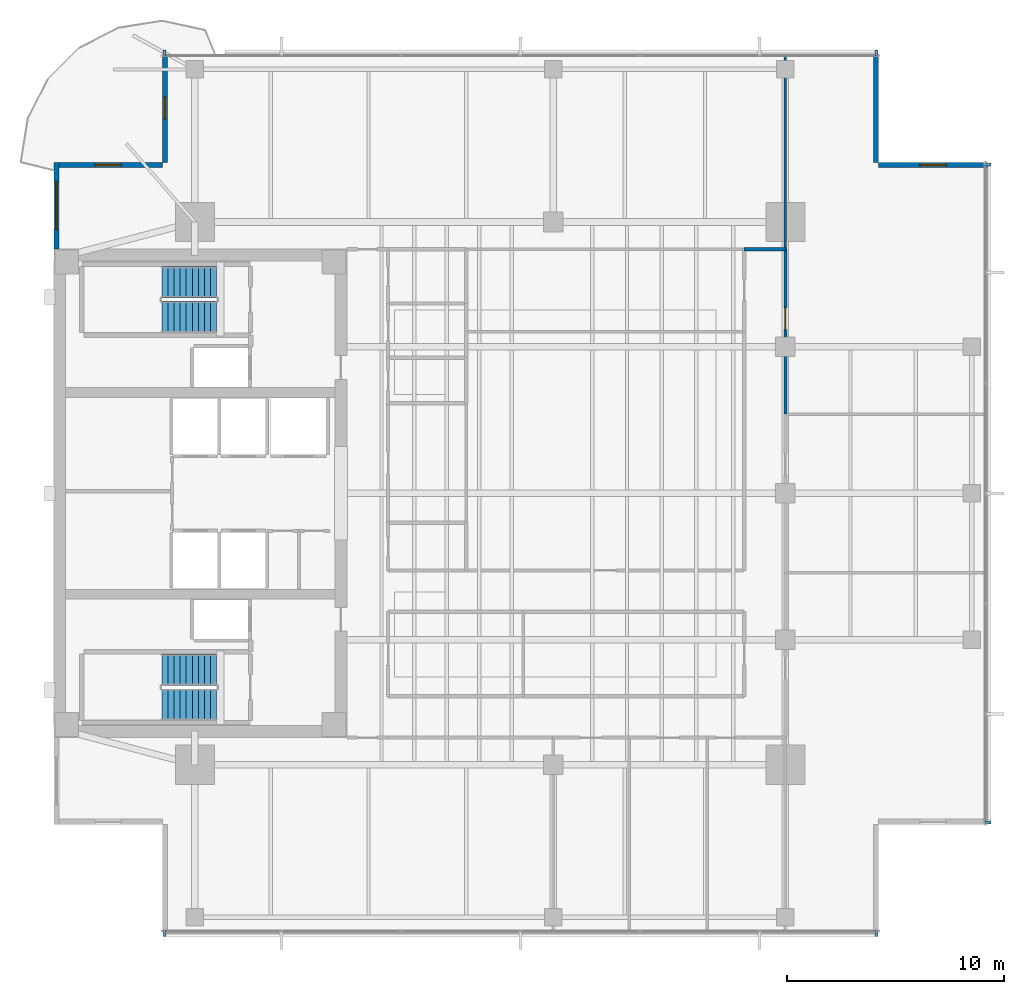
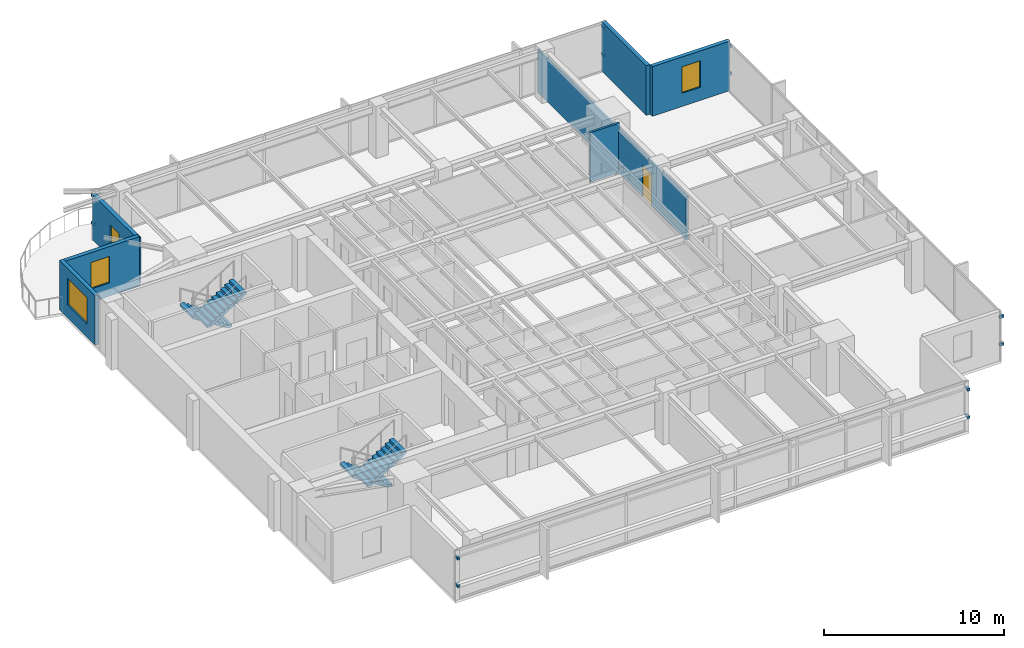
# One storey, part 10 of 14: 12 discrete accessories, 8 walls, 4 stair flights, 3 windows, 2 doors, 5 openings, 2 elements without a shape of their own.
"""IFC4 building model written with IfcOpenShell, lengths in metres."""

from ifc_helpers import new_model, si_unit, direction, frame, frame_2d, origin, origin_2d, place, context, subcontext, project, spatial, polyline, rectangle, outline, extrude, material, layer, layer_set, type_object, element, fill, aggregate, save


model = new_model("IFC4")

# Units and contexts
model_context = context("Model", 3, precision=1e-05, world=origin(), true_north=direction((0.0, 1.0)))
body_context = subcontext(model_context, "Body", "Model", "MODEL_VIEW")
ifc_project = project(units=[si_unit("LENGTHUNIT", "METRE"), si_unit("AREAUNIT", "SQUARE_METRE"), si_unit("VOLUMEUNIT", "CUBIC_METRE"), si_unit("PLANEANGLEUNIT", "RADIAN"), si_unit("MASSUNIT", "GRAM", prefix="KILO")], contexts=[model_context])

# Site, building, storey
site_placement = place(None, origin())
site = spatial("IfcSite", under=ifc_project, at=site_placement, CompositionType="ELEMENT")
building_placement = place(site_placement, origin())
building = spatial("IfcBuilding", under=site, at=building_placement, Name="Kinhvarn Gate Tower", CompositionType="ELEMENT")
storey_placement = place(building_placement, frame((0.0, 0.0, 227.10009765625)))
storey = spatial("IfcBuildingStorey", under=building, at=storey_placement, Name="L60", CompositionType="ELEMENT", Elevation=227.10009765625)

# Wall, opening, window
ifc_material_1 = material(Name="Fired architectural terracotta", Category="masonry")
ifc_layer_1 = layer(ifc_material_1, 0.25)
ifc_layer_set_1 = layer_set([ifc_layer_1], Name="Fired architectural terracotta")
wall_type_1 = type_object("IfcWallType", Name="WL-EXT-250", PredefinedType="SOLIDWALL", material=ifc_layer_set_1)
wall_1_placement = place(storey_placement, frame((4.625, 40.5, 0.0), z_axis=(0.0, 0.0, 1.0), x_axis=(0.0, -1.0, 0.0)))
wall_1 = element("IfcWall", 1, at=wall_1_placement, inside=storey, type_object=wall_type_1, Name="Exterior Solidwall Wall EW-250 (L60 West-North)", PredefinedType="SOLIDWALL", context=body_context, shape_type="SweptSolid", body=[
    extrude(rectangle(XDim=4.0, YDim=0.25, at=frame_2d((2.0, 0.0))), origin(), (0.0, 0.0, 1.0), 3.369873046875),
])
opening_1_placement = place(wall_1_placement, frame((0.89990234375, 0.0, 0.89990234375)))
opening_1 = element("IfcOpeningElement", 2, at=opening_1_placement, cuts=wall_1, Name="Opening WN-01", PredefinedType="OPENING", context=body_context, shape_type="SweptSolid", body=[
    extrude(rectangle(XDim=2.199951171875, YDim=1.800048828125, at=frame_2d((1.10009765625, 0.89990234375))), frame((0.0, 0.135009765625, 0.0), z_axis=(0.0, -1.0, 0.0), x_axis=(1.0, 0.0, 0.0)), (0.0, 0.0, 1.0), 0.27001953125),
])
ifc_material_2 = material(Name="Clear low-e double glazing", Category="glass")
window_type_1 = type_object("IfcWindowType", Name="WIN-RIB-2200", PartitioningType="SINGLE_PANEL", PredefinedType="WINDOW", material=ifc_material_2)
window_1_placement = place(opening_1_placement, origin())
window_1 = element("IfcWindow", 3, at=window_1_placement, inside=storey, type_object=window_type_1, Name="West Flank Double-Glazed Ribbon Window 2200x1800 mm (L60)", OverallHeight=1.800048828125, OverallWidth=2.199951171875, PartitioningType="SINGLE_PANEL", PredefinedType="WINDOW", context=body_context, shape_type="SweptSolid", body=[
    extrude(rectangle(XDim=2.199951171875, YDim=1.800048828125, at=frame_2d((1.10009765625, 0.89990234375))), frame((0.0, 0.030029296875, 0.0), z_axis=(0.0, -1.0, 0.0), x_axis=(1.0, 0.0, 0.0)), (0.0, 0.0, 1.0), 0.06005859375),
])
fill(opening_1, window_1)

wall_2_placement = place(storey_placement, frame((47.5, 40.375, 0.0), z_axis=(0.0, 0.0, 1.0), x_axis=(-1.0, 0.0, 0.0)))
wall_2 = element("IfcWall", 4, at=wall_2_placement, inside=storey, type_object=wall_type_1, Name="Exterior Solidwall Wall EW-250 (L60 NE-Notch-1)", PredefinedType="SOLIDWALL", context=body_context, shape_type="SweptSolid", body=[
    extrude(rectangle(XDim=5.0, YDim=0.25, at=frame_2d((2.5, 0.0))), origin(), (0.0, 0.0, 1.0), 3.369873046875),
])
opening_2_placement = place(wall_2_placement, frame((1.89990234375, 0.0, 0.89990234375)))
opening_2 = element("IfcOpeningElement", 5, at=opening_2_placement, cuts=wall_2, Name="Opening WN-02", PredefinedType="OPENING", context=body_context, shape_type="SweptSolid", body=[
    extrude(rectangle(XDim=1.199951171875, YDim=1.800048828125, at=frame_2d((0.60009765625, 0.89990234375))), frame((0.0, 0.135009765625, 0.0), z_axis=(0.0, -1.0, 0.0), x_axis=(1.0, 0.0, 0.0)), (0.0, 0.0, 1.0), 0.27001953125),
])
window_type_2 = type_object("IfcWindowType", Name="WIN-NTC-1200", PartitioningType="SINGLE_PANEL", PredefinedType="WINDOW", material=ifc_material_2)
window_2_placement = place(opening_2_placement, origin())
window_2 = element("IfcWindow", 6, at=window_2_placement, inside=storey, type_object=window_type_2, Name="Recessed Corner Notch Punched Window 1200x1800 mm (L60)", OverallHeight=1.800048828125, OverallWidth=1.199951171875, PartitioningType="SINGLE_PANEL", PredefinedType="WINDOW", context=body_context, shape_type="SweptSolid", body=[
    extrude(rectangle(XDim=1.199951171875, YDim=1.800048828125, at=frame_2d((0.60009765625, 0.89990234375))), frame((0.0, 0.030029296875, 0.0), z_axis=(0.0, -1.0, 0.0), x_axis=(1.0, 0.0, 0.0)), (0.0, 0.0, 1.0), 0.06005859375),
])
fill(opening_2, window_2)

# Wall
wall_3_placement = place(storey_placement, frame((42.375, 40.5, 0.0), z_axis=(0.0, 0.0, 1.0), x_axis=(0.0, 1.0, 0.0)))
element("IfcWall", 7, at=wall_3_placement, inside=storey, type_object=wall_type_1, Name="Exterior Solidwall Wall EW-250 (L60 NE-Notch-2)", PredefinedType="SOLIDWALL", context=body_context, shape_type="SweptSolid", body=[
    extrude(rectangle(XDim=5.0, YDim=0.25, at=frame_2d((2.5, 0.0))), origin(), (0.0, 0.0, 1.0), 3.369873046875),
])

# Wall, opening, door
wall_4_placement = place(storey_placement, frame((9.625, 45.5, 0.0), z_axis=(0.0, 0.0, 1.0), x_axis=(0.0, -1.0, 0.0)))
wall_4 = element("IfcWall", 8, at=wall_4_placement, inside=storey, type_object=wall_type_1, Name="Exterior Solidwall Wall EW-250 (L60 NW-Notch-Door)", PredefinedType="SOLIDWALL", context=body_context, shape_type="SweptSolid", body=[
    extrude(rectangle(XDim=5.0, YDim=0.25, at=frame_2d((2.5, 0.0))), origin(), (0.0, 0.0, 1.0), 3.099853515625),
])
opening_3_placement = place(wall_4_placement, frame((2.0, 0.0, 0.0)))
opening_3 = element("IfcOpeningElement", 9, at=opening_3_placement, cuts=wall_4, Name="Opening BD-01", PredefinedType="OPENING", context=body_context, shape_type="SweptSolid", body=[
    extrude(rectangle(XDim=1.0, YDim=2.199951171875, at=frame_2d((0.5, 1.10009765625))), frame((0.0, 0.135009765625, 0.0), z_axis=(0.0, -1.0, 0.0), x_axis=(1.0, 0.0, 0.0)), (0.0, 0.0, 1.0), 0.27001953125),
])
door_type_1 = type_object("IfcDoorType", Name="DR-BAL-1000", OperationType="NOTDEFINED", PredefinedType="DOOR", material=ifc_material_2)
door_1_placement = place(opening_3_placement, frame((1.0, 0.0, 0.0), z_axis=(0.0, 0.0, 1.0), x_axis=(-1.0, 0.0, 0.0)))
door_1 = element("IfcDoor", 10, at=door_1_placement, inside=storey, type_object=door_type_1, Name="S-Carve Balcony Door BD-01 (L60)", OperationType="SINGLE_SWING_RIGHT", OverallHeight=2.199951171875, OverallWidth=1.0, PredefinedType="DOOR", context=body_context, shape_type="SweptSolid", body=[
    extrude(rectangle(XDim=1.0, YDim=2.199951171875, at=frame_2d((0.5, 1.10009765625))), frame((0.0, 0.02490234375, 0.0), z_axis=(0.0, -1.0, 0.0), x_axis=(1.0, 0.0, 0.0)), (0.0, 0.0, 1.0), 0.050048828125),
])
fill(opening_3, door_1)

# Wall, opening, window
wall_5_placement = place(storey_placement, frame((9.5, 40.375, 0.0), z_axis=(0.0, 0.0, 1.0), x_axis=(-1.0, 0.0, 0.0)))
wall_5 = element("IfcWall", 11, at=wall_5_placement, inside=storey, type_object=wall_type_1, Name="Exterior Solidwall Wall EW-250 (L60 NW-Notch-Win)", PredefinedType="SOLIDWALL", context=body_context, shape_type="SweptSolid", body=[
    extrude(rectangle(XDim=5.0, YDim=0.25, at=frame_2d((2.5, 0.0))), origin(), (0.0, 0.0, 1.0), 3.369873046875),
])
opening_4_placement = place(wall_5_placement, frame((1.89990234375, 0.0, 0.89990234375)))
opening_4 = element("IfcOpeningElement", 12, at=opening_4_placement, cuts=wall_5, Name="Opening WN-02", PredefinedType="OPENING", context=body_context, shape_type="SweptSolid", body=[
    extrude(rectangle(XDim=1.199951171875, YDim=1.800048828125, at=frame_2d((0.60009765625, 0.89990234375))), frame((0.0, 0.135009765625, 0.0), z_axis=(0.0, -1.0, 0.0), x_axis=(1.0, 0.0, 0.0)), (0.0, 0.0, 1.0), 0.27001953125),
])
window_3_placement = place(opening_4_placement, origin())
window_3 = element("IfcWindow", 13, at=window_3_placement, inside=storey, type_object=window_type_2, Name="Recessed Corner Notch Punched Window 1200x1800 mm (L60)", OverallHeight=1.800048828125, OverallWidth=1.199951171875, PartitioningType="SINGLE_PANEL", PredefinedType="WINDOW", context=body_context, shape_type="SweptSolid", body=[
    extrude(rectangle(XDim=1.199951171875, YDim=1.800048828125, at=frame_2d((0.60009765625, 0.89990234375))), frame((0.0, 0.030029296875, 0.0), z_axis=(0.0, -1.0, 0.0), x_axis=(1.0, 0.0, 0.0)), (0.0, 0.0, 1.0), 0.06005859375),
])
fill(opening_4, window_3)

# Walls
ifc_material_3 = material(Name="Gypsum acoustic partition board")
ifc_layer_2 = layer(ifc_material_3, 0.1201171875)
ifc_layer_set_2 = layer_set([ifc_layer_2], Name="Gypsum acoustic partition board")
wall_type_2 = type_object("IfcWallType", Name="WL-PRT-120", PredefinedType="PARTITIONING", material=ifc_layer_set_2)
wall_6_placement = place(storey_placement, frame((38.199951171875, 36.5, 0.0), z_axis=(0.0, 0.0, 1.0), x_axis=(0.0, 1.0, 0.0)))
element("IfcWall", 14, at=wall_6_placement, inside=storey, type_object=wall_type_2, Name="Interior Partition PW-120 (L60)", PredefinedType="PARTITIONING", context=body_context, shape_type="SweptSolid", body=[
    extrude(rectangle(XDim=8.989990234375, YDim=0.1201171875, at=frame_2d((4.4951171875, 0.0))), origin(), (0.0, 0.0, 1.0), 2.919921875),
])
ifc_layer_3 = layer(ifc_material_3, 0.14990234375)
ifc_layer_set_3 = layer_set([ifc_layer_3], Name="Gypsum acoustic partition board")
wall_type_3 = type_object("IfcWallType", Name="WL-PRT-150F", PredefinedType="PARTITIONING", material=ifc_layer_set_3)
wall_7_placement = place(storey_placement, frame((36.300048828125, 36.5, 0.0), z_axis=(0.0, 0.0, 1.0), x_axis=(1.0, 0.0, 0.0)))
element("IfcWall", 15, at=wall_7_placement, inside=storey, type_object=wall_type_3, Name="Interior Partition PW-150F (L60)", PredefinedType="PARTITIONING", context=body_context, shape_type="SweptSolid", body=[
    extrude(rectangle(XDim=1.89990234375, YDim=0.14990234375, at=frame_2d((0.949951171875, 0.0))), origin(), (0.0, 0.0, 1.0), 3.369873046875),
])

# Wall, opening, door
wall_8_placement = place(storey_placement, frame((38.199951171875, 28.89990234375, 0.0), z_axis=(0.0, 0.0, 1.0), x_axis=(0.0, 1.0, 0.0)))
wall_8 = element("IfcWall", 16, at=wall_8_placement, inside=storey, type_object=wall_type_3, Name="Interior Partition PW-150F (L60)", PredefinedType="PARTITIONING", context=body_context, shape_type="SweptSolid", body=[
    extrude(rectangle(XDim=7.60009765625, YDim=0.14990234375, at=frame_2d((3.800048828125, 0.0))), origin(), (0.0, 0.0, 1.0), 2.919921875),
])
opening_5_placement = place(wall_8_placement, frame((3.89404296875, 0.0, 0.0)))
opening_5 = element("IfcOpeningElement", 17, at=opening_5_placement, cuts=wall_8, Name="Opening ID-02", PredefinedType="OPENING", context=body_context, shape_type="SweptSolid", body=[
    extrude(rectangle(XDim=1.0, YDim=2.14990234375, at=frame_2d((0.5, 1.074951171875))), frame((0.0, 0.0849609375, 0.0), z_axis=(0.0, -1.0, 0.0), x_axis=(1.0, 0.0, 0.0)), (0.0, 0.0, 1.0), 0.169921875),
])
ifc_material_4 = material(Name="Anodised aluminium AW-6063", Category="aluminium")
door_type_2 = type_object("IfcDoorType", Name="DR-INT-1000", OperationType="NOTDEFINED", PredefinedType="DOOR", material=ifc_material_4)
door_2_placement = place(opening_5_placement, origin())
door_2 = element("IfcDoor", 18, at=door_2_placement, inside=storey, type_object=door_type_2, Name="Standard Office & Meeting Room Door 1000x2150 mm (L60)", OperationType="SINGLE_SWING_RIGHT", OverallHeight=2.14990234375, OverallWidth=1.0, PredefinedType="DOOR", context=body_context, shape_type="SweptSolid", body=[
    extrude(rectangle(XDim=1.0, YDim=2.14990234375, at=frame_2d((0.5, 1.074951171875))), frame((0.0, 0.02490234375, 0.0), z_axis=(0.0, -1.0, 0.0), x_axis=(1.0, 0.0, 0.0)), (0.0, 0.0, 1.0), 0.050048828125),
])
fill(opening_5, door_2)

# Stair, stair flights
ifc_material_5 = material(Name="Concrete C40/50", Category="concrete")
stair_type = type_object("IfcStairType", Name="STR-DLG-178", PredefinedType="HALF_TURN_STAIR", material=ifc_material_5)
stair_1_placement = place(storey_placement, origin())
stair_1 = element("IfcStair", 19, at=stair_1_placement, inside=storey, type_object=stair_type, Name="L60 Core Smokeproof Exit Stair ST1", PredefinedType="HALF_TURN_STAIR")
stair_flight_type = type_object("IfcStairFlightType", Name="STF-DLG-178", PredefinedType="STRAIGHT", material=ifc_material_5)
stair_flight_1_placement = place(storey_placement, frame((12.0, 17.125, 0.0), z_axis=(0.0, 0.0, 1.0), x_axis=(-1.0, 0.0, 0.0)))
stair_flight_1 = element("IfcStairFlight", 20, at=stair_flight_1_placement, type_object=stair_flight_type, Name="ST1 flight 1", NumberOfRisers=10, NumberOfTreads=9, PredefinedType="STRAIGHT", RiserHeight=0.1775, TreadLength=0.28, context=body_context, shape_type="SweptSolid", body=[
    extrude(outline(polyline([(0.0, 0.0), (0.0, 0.177490234375), (0.280029296875, 0.177490234375), (0.280029296875, 0.35498046875), (0.56005859375, 0.35498046875), (0.56005859375, 0.532470703125), (0.840087890625, 0.532470703125), (0.840087890625, 0.7099609375), (1.1201171875, 0.7099609375), (1.1201171875, 0.887451171875), (1.39990234375, 0.887451171875), (1.39990234375, 1.06494140625), (1.679931640625, 1.06494140625), (1.679931640625, 1.242431640625), (1.9599609375, 1.242431640625), (1.9599609375, 1.419921875), (2.239990234375, 1.419921875), (2.239990234375, 1.597412109375), (2.52001953125, 1.597412109375), (2.52001953125, 1.77490234375), (2.52001953125, 1.419921875), (0.280029296875, 0.0), (0.0, 0.0)])), frame((0.0, 0.72509765625, 0.0), z_axis=(0.0, -1.0, 0.0), x_axis=(1.0, 0.0, 0.0)), (0.0, 0.0, 1.0), 1.449951171875),
])
stair_flight_2_placement = place(storey_placement, frame((9.47998046875, 15.52490234375, 1.77490234375), z_axis=(0.0, 0.0, 1.0), x_axis=(1.0, 0.0, 0.0)))
stair_flight_2 = element("IfcStairFlight", 21, at=stair_flight_2_placement, type_object=stair_flight_type, Name="ST1 flight 2", NumberOfRisers=10, NumberOfTreads=9, PredefinedType="STRAIGHT", RiserHeight=0.1775, TreadLength=0.28, context=body_context, shape_type="SweptSolid", body=[
    extrude(outline(polyline([(0.0, 0.0), (0.0, 0.177490234375), (0.280029296875, 0.177490234375), (0.280029296875, 0.35498046875), (0.56005859375, 0.35498046875), (0.56005859375, 0.532470703125), (0.840087890625, 0.532470703125), (0.840087890625, 0.7099609375), (1.1201171875, 0.7099609375), (1.1201171875, 0.887451171875), (1.39990234375, 0.887451171875), (1.39990234375, 1.06494140625), (1.679931640625, 1.06494140625), (1.679931640625, 1.242431640625), (1.9599609375, 1.242431640625), (1.9599609375, 1.419921875), (2.239990234375, 1.419921875), (2.239990234375, 1.597412109375), (2.52001953125, 1.597412109375), (2.52001953125, 1.77490234375), (2.52001953125, 1.419921875), (0.280029296875, 0.0), (0.0, 0.0)])), frame((0.0, 0.72509765625, 0.0), z_axis=(0.0, -1.0, 0.0), x_axis=(1.0, 0.0, 0.0)), (0.0, 0.0, 1.0), 1.449951171875),
])
aggregate(stair_1, [stair_flight_1, stair_flight_2])

stair_2_placement = place(storey_placement, origin())
stair_2 = element("IfcStair", 22, at=stair_2_placement, inside=storey, type_object=stair_type, Name="L60 Core Smokeproof Exit Stair ST2", PredefinedType="HALF_TURN_STAIR")
stair_flight_3_placement = place(storey_placement, frame((12.0, 34.97509765625, 0.0), z_axis=(0.0, 0.0, 1.0), x_axis=(-1.0, 0.0, 0.0)))
stair_flight_3 = element("IfcStairFlight", 23, at=stair_flight_3_placement, type_object=stair_flight_type, Name="ST2 flight 1", NumberOfRisers=10, NumberOfTreads=9, PredefinedType="STRAIGHT", RiserHeight=0.1775, TreadLength=0.28, context=body_context, shape_type="SweptSolid", body=[
    extrude(outline(polyline([(0.0, 0.0), (0.0, 0.177490234375), (0.280029296875, 0.177490234375), (0.280029296875, 0.35498046875), (0.56005859375, 0.35498046875), (0.56005859375, 0.532470703125), (0.840087890625, 0.532470703125), (0.840087890625, 0.7099609375), (1.1201171875, 0.7099609375), (1.1201171875, 0.887451171875), (1.39990234375, 0.887451171875), (1.39990234375, 1.06494140625), (1.679931640625, 1.06494140625), (1.679931640625, 1.242431640625), (1.9599609375, 1.242431640625), (1.9599609375, 1.419921875), (2.239990234375, 1.419921875), (2.239990234375, 1.597412109375), (2.52001953125, 1.597412109375), (2.52001953125, 1.77490234375), (2.52001953125, 1.419921875), (0.280029296875, 0.0), (0.0, 0.0)])), frame((0.0, 0.72509765625, 0.0), z_axis=(0.0, -1.0, 0.0), x_axis=(1.0, 0.0, 0.0)), (0.0, 0.0, 1.0), 1.449951171875),
])
stair_flight_4_placement = place(storey_placement, frame((9.47998046875, 33.375, 1.77490234375), z_axis=(0.0, 0.0, 1.0), x_axis=(1.0, 0.0, 0.0)))
stair_flight_4 = element("IfcStairFlight", 24, at=stair_flight_4_placement, type_object=stair_flight_type, Name="ST2 flight 2", NumberOfRisers=10, NumberOfTreads=9, PredefinedType="STRAIGHT", RiserHeight=0.1775, TreadLength=0.28, context=body_context, shape_type="SweptSolid", body=[
    extrude(outline(polyline([(0.0, 0.0), (0.0, 0.177490234375), (0.280029296875, 0.177490234375), (0.280029296875, 0.35498046875), (0.56005859375, 0.35498046875), (0.56005859375, 0.532470703125), (0.840087890625, 0.532470703125), (0.840087890625, 0.7099609375), (1.1201171875, 0.7099609375), (1.1201171875, 0.887451171875), (1.39990234375, 0.887451171875), (1.39990234375, 1.06494140625), (1.679931640625, 1.06494140625), (1.679931640625, 1.242431640625), (1.9599609375, 1.242431640625), (1.9599609375, 1.419921875), (2.239990234375, 1.419921875), (2.239990234375, 1.597412109375), (2.52001953125, 1.597412109375), (2.52001953125, 1.77490234375), (2.52001953125, 1.419921875), (0.280029296875, 0.0), (0.0, 0.0)])), frame((0.0, 0.72509765625, 0.0), z_axis=(0.0, -1.0, 0.0), x_axis=(1.0, 0.0, 0.0)), (0.0, 0.0, 1.0), 1.449951171875),
])
aggregate(stair_2, [stair_flight_3, stair_flight_4])

# Discrete accessories
discrete_accessory_type = type_object("IfcDiscreteAccessoryType", Name="ACC-BRK-01", PredefinedType="BRACKET", material=ifc_material_4)
for number, where, z_axis, x_axis, name in (
    (25, (9.60009765625, 4.969970703125, 0.9599609375), (0.0, 0.0, 1.0), (1.0, 0.0, 0.0), "Baguette Support Bracket BK-01 (L60)"),
    (26, (9.60009765625, 4.969970703125, 2.830078125), (0.0, 0.0, 1.0), (1.0, 0.0, 0.0), "Baguette Support Bracket BK-01 (L60)"),
    (27, (42.39990234375, 4.969970703125, 0.9599609375), (0.0, 0.0, 1.0), (1.0, 0.0, 0.0), "Baguette Support Bracket BK-01 (L60)"),
    (28, (42.39990234375, 4.969970703125, 2.830078125), (0.0, 0.0, 1.0), (1.0, 0.0, 0.0), "Baguette Support Bracket BK-01 (L60)"),
    (29, (42.39990234375, 45.530029296875, 0.9599609375), (0.0, 0.0, 1.0), (-1.0, 0.0, 0.0), "Baguette Support Bracket BK-01 (L60)"),
    (30, (42.39990234375, 45.530029296875, 2.830078125), (0.0, 0.0, 1.0), (-1.0, 0.0, 0.0), "Baguette Support Bracket BK-01 (L60)"),
    (31, (9.60009765625, 45.530029296875, 0.9599609375), (0.0, 0.0, 1.0), (-1.0, 0.0, 0.0), "Baguette Support Bracket BK-01 (L60)"),
    (32, (9.60009765625, 45.530029296875, 2.830078125), (0.0, 0.0, 1.0), (-1.0, 0.0, 0.0), "Baguette Support Bracket BK-01 (L60)"),
    (33, (47.530029296875, 10.10009765625, 0.9599609375), (0.0, 0.0, 1.0), (0.0, 1.0, 0.0), "Baguette Support Bracket BK-01 (L60)"),
    (34, (47.530029296875, 10.10009765625, 2.830078125), (0.0, 0.0, 1.0), (0.0, 1.0, 0.0), "Baguette Support Bracket BK-01 (L60)"),
    (35, (47.530029296875, 40.39990234375, 0.9599609375), (0.0, 0.0, 1.0), (0.0, 1.0, 0.0), "Baguette Support Bracket BK-01 (L60)"),
    (36, (47.530029296875, 40.39990234375, 2.830078125), (0.0, 0.0, 1.0), (0.0, 1.0, 0.0), "Baguette Support Bracket BK-01 (L60)"),
):
    element("IfcDiscreteAccessory", number, at=place(storey_placement, frame(where, z_axis=z_axis, x_axis=x_axis)), inside=storey, type_object=discrete_accessory_type, Name=name, PredefinedType="BRACKET", context=body_context, shape_type="SweptSolid", body=[
        extrude(rectangle(XDim=0.139892578125, YDim=0.280029296875, at=origin_2d()), origin(), (0.0, 0.0, 1.0), 0.179931640625),
    ])

save(model, "model.ifc")
